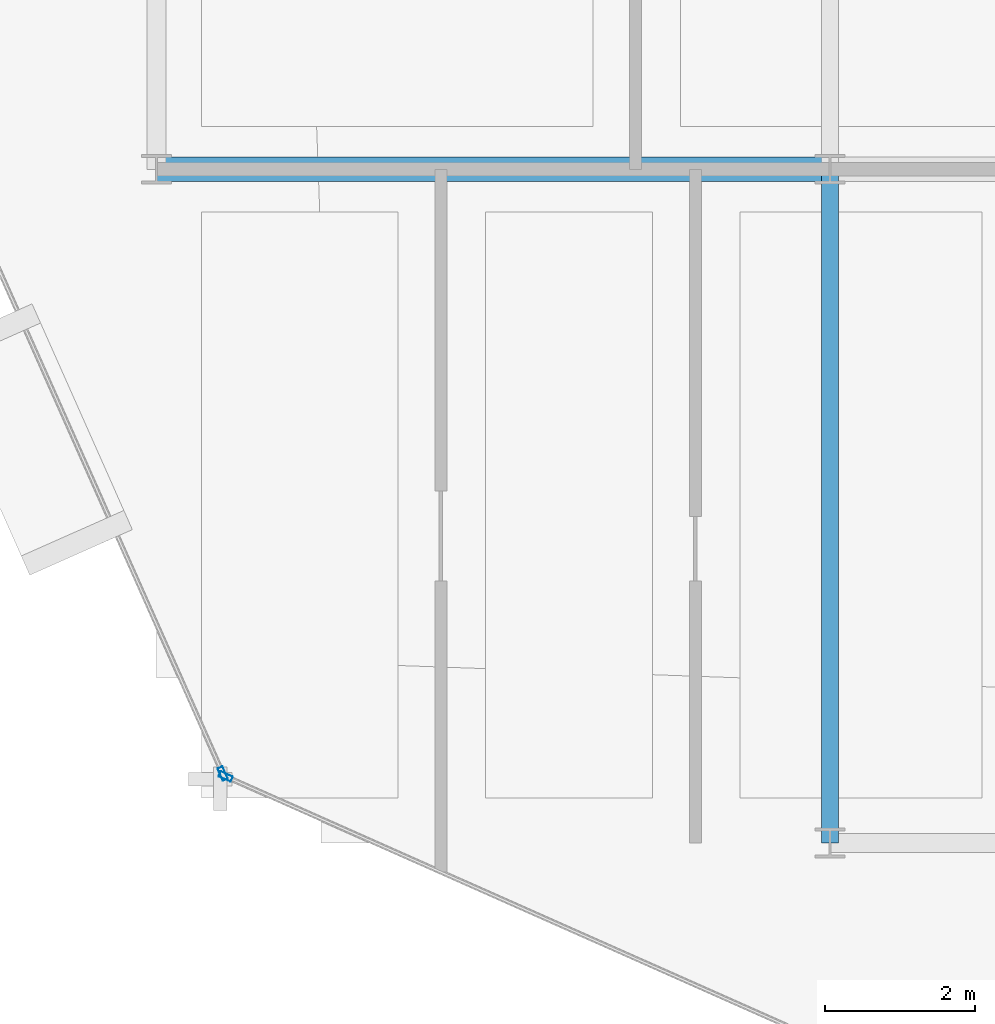
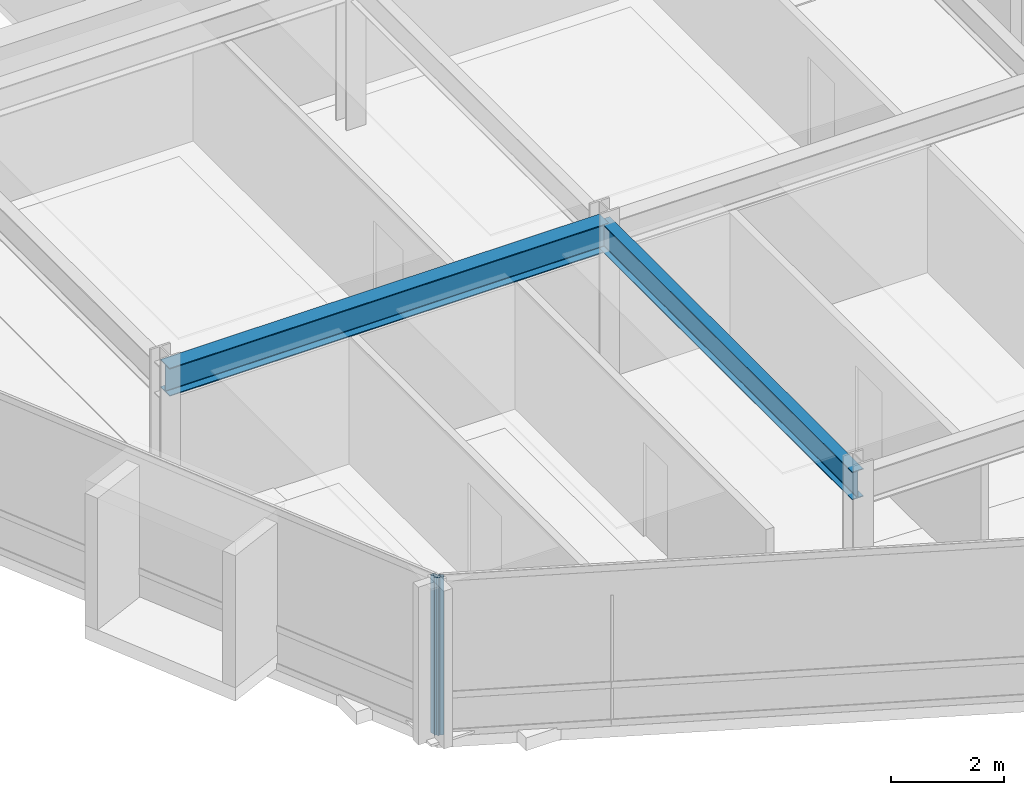
# One storey, part 2 of 27: 2 beams, 2 members, 2 elements without a shape of their own.
"""IFC4 building model written with IfcOpenShell, lengths in metres."""

from ifc_helpers import new_model, si_unit, direction, frame, origin, origin_2d, place, context, subcontext, project, spatial, hollow_rectangle, i_section, extrude, material, layer, layer_set, material_profile, profile_set, type_object, element, aggregate, save


model = new_model("IFC4")

# Units and contexts
model_context = context("Model", 3, precision=1e-05, world=origin(), true_north=direction((0.0, 1.0)))
body_context = subcontext(model_context, "Body", "Model", "MODEL_VIEW")
ifc_project = project(units=[si_unit("LENGTHUNIT", "METRE"), si_unit("AREAUNIT", "SQUARE_METRE"), si_unit("VOLUMEUNIT", "CUBIC_METRE"), si_unit("PLANEANGLEUNIT", "RADIAN"), si_unit("MASSUNIT", "GRAM", prefix="KILO")], contexts=[model_context])

# Site, building, storey
site_placement = place(None, origin())
site = spatial("IfcSite", under=ifc_project, at=site_placement, CompositionType="ELEMENT")
building_placement = place(site_placement, origin())
building = spatial("IfcBuilding", under=site, at=building_placement, Name="Solvaryn Broadcast Tower", CompositionType="ELEMENT")
storey_placement = place(building_placement, frame((0.0, 0.0, 221.0)))
storey = spatial("IfcBuildingStorey", under=building, at=storey_placement, Name="L55", CompositionType="ELEMENT", Elevation=221.0)

# Beams
ifc_material_1 = material(Name="Steel ASTM A992 Grade 50", Category="steel")
ifc_material_profile_1 = material_profile(ifc_material_1, i_section(OverallWidth=0.323974609375, OverallDepth=0.611083984375, WebThickness=0.0126953125, FlangeThickness=0.01904296875, FilletRadius=0.014892578125, at=origin_2d()))
ifc_profile_set_1 = profile_set([ifc_material_profile_1], Name="Steel ASTM A992 Grade 50")
beam_type_1 = type_object("IfcBeamType", Name="BM-B1-W24X104", PredefinedType="BEAM", material=ifc_profile_set_1)
beam_1_placement = place(storey_placement, frame((9.0, 18.0, 3.114501953125), z_axis=(1.0, 0.0, 0.0), x_axis=(0.0, 1.0, 0.0)))
element("IfcBeam", 1, at=beam_1_placement, inside=storey, type_object=beam_type_1, Name="L55 Primary Beam X (9-18 @ Y=18)", PredefinedType="BEAM", context=body_context, shape_type="SweptSolid", body=[
    extrude(i_section(OverallWidth=0.323974609375, OverallDepth=0.611083984375, WebThickness=0.0126953125, FlangeThickness=0.01904296875, FilletRadius=0.014892578125, at=origin_2d()), origin(), (0.0, 0.0, 1.0), 9.0),
])
ifc_material_2 = material(Name="Steel ASTM A992 Grade 50", Category="steel")
ifc_material_profile_2 = material_profile(ifc_material_2, i_section(OverallWidth=0.22802734375, OverallDepth=0.60791015625, WebThickness=0.01123046875, FlangeThickness=0.017333984375, FilletRadius=0.014892578125, at=origin_2d()))
ifc_profile_set_2 = profile_set([ifc_material_profile_2], Name="Steel ASTM A992 Grade 50")
beam_type_2 = type_object("IfcBeamType", Name="BM-B2-W24X76", PredefinedType="BEAM", material=ifc_profile_set_2)
beam_2_placement = place(storey_placement, frame((18.0, 9.0, 3.115966796875), z_axis=(0.0, 1.0, 0.0), x_axis=(-1.0, 0.0, 0.0)))
element("IfcBeam", 2, at=beam_2_placement, inside=storey, type_object=beam_type_2, Name="L55 Primary Beam Y (9-18 @ X=18)", PredefinedType="BEAM", context=body_context, shape_type="SweptSolid", body=[
    extrude(i_section(OverallWidth=0.22802734375, OverallDepth=0.60791015625, WebThickness=0.01123046875, FlangeThickness=0.017333984375, FilletRadius=0.014892578125, at=origin_2d()), origin(), (0.0, 0.0, 1.0), 9.0),
])

# Curtain wall, member
ifc_material_3 = material(Name="Aluminium and Terracotta Unitised Curtain Wall", Category="masonry")
ifc_layer_1 = layer(ifc_material_3, 0.239990234375)
ifc_layer_set_1 = layer_set([ifc_layer_1], Name="CW-SYS3-BAYBOX")
curtain_wall_type_1 = type_object("IfcCurtainWallType", Name="CW-SYS3-BAYBOX", PredefinedType="NOTDEFINED", material=ifc_layer_set_1)
curtain_wall_1_placement = place(storey_placement, origin())
curtain_wall_1 = element("IfcCurtainWall", 3, at=curtain_wall_1_placement, inside=storey, type_object=curtain_wall_type_1, Name="L55 Curtain Wall DR2", PredefinedType="NOTDEFINED")
ifc_material_4 = material(Name="Anodised Aluminium 6063-T6", Category="aluminium")
ifc_material_profile_3 = material_profile(ifc_material_4, hollow_rectangle(XDim=0.074951171875, YDim=0.179931640625, WallThickness=0.00390625, InnerFilletRadius=0.00390625, OuterFilletRadius=0.008056640625, at=origin_2d()))
ifc_profile_set_3 = profile_set([ifc_material_profile_3], Name="Anodised Aluminium 6063-T6")
member_type = type_object("IfcMemberType", Name="CW-MUL-180", PredefinedType="MULLION", material=ifc_profile_set_3)
member_1_placement = place(storey_placement, frame((9.8857421875, 9.925537109375, 0.0), z_axis=(0.0, 0.0, 1.0), x_axis=(0.913916902365, 0.405901337237, 0.0)))
member_1 = element("IfcMember", 4, at=member_1_placement, type_object=member_type, Name="CWS3 mullion 2", PredefinedType="MULLION", context=body_context, shape_type="SweptSolid", body=[
    extrude(hollow_rectangle(XDim=0.074951171875, YDim=0.179931640625, WallThickness=0.00390625, InnerFilletRadius=0.00390625, OuterFilletRadius=0.008056640625, at=origin_2d()), origin(), (0.0, 0.0, 1.0), 3.419921875),
])
aggregate(curtain_wall_1, [member_1])

ifc_material_5 = material(Name="Aluminium and Terracotta Unitised Curtain Wall", Category="masonry")
ifc_layer_2 = layer(ifc_material_5, 0.199951171875)
ifc_layer_set_2 = layer_set([ifc_layer_2], Name="CW-SYS2-LOWMID")
curtain_wall_type_2 = type_object("IfcCurtainWallType", Name="CW-SYS2-LOWMID", PredefinedType="NOTDEFINED", material=ifc_layer_set_2)
curtain_wall_2_placement = place(storey_placement, origin())
curtain_wall_2 = element("IfcCurtainWall", 5, at=curtain_wall_2_placement, inside=storey, type_object=curtain_wall_type_2, Name="L55 Curtain Wall DR3", PredefinedType="NOTDEFINED")
member_2_placement = place(storey_placement, frame((9.925537109375, 9.8857421875, 0.0), z_axis=(0.0, 0.0, 1.0), x_axis=(0.405901337237, 0.913916902365, 0.0)))
member_2 = element("IfcMember", 6, at=member_2_placement, type_object=member_type, Name="CWS2 mullion 1", PredefinedType="MULLION", context=body_context, shape_type="SweptSolid", body=[
    extrude(hollow_rectangle(XDim=0.074951171875, YDim=0.179931640625, WallThickness=0.00390625, InnerFilletRadius=0.00390625, OuterFilletRadius=0.008056640625, at=origin_2d()), origin(), (0.0, 0.0, 1.0), 3.419921875),
])
aggregate(curtain_wall_2, [member_2])

save(model, "model.ifc")
